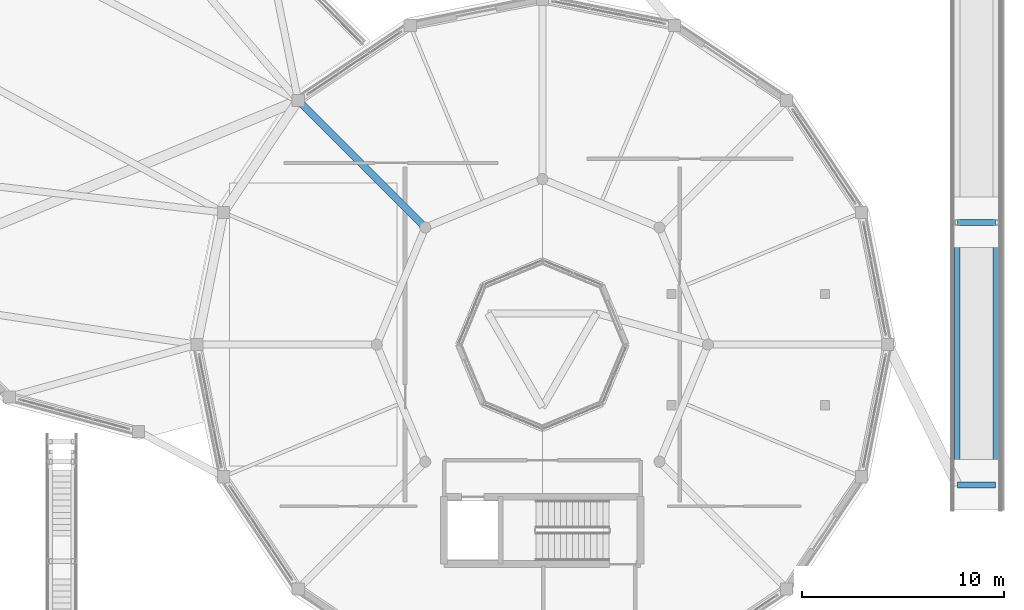
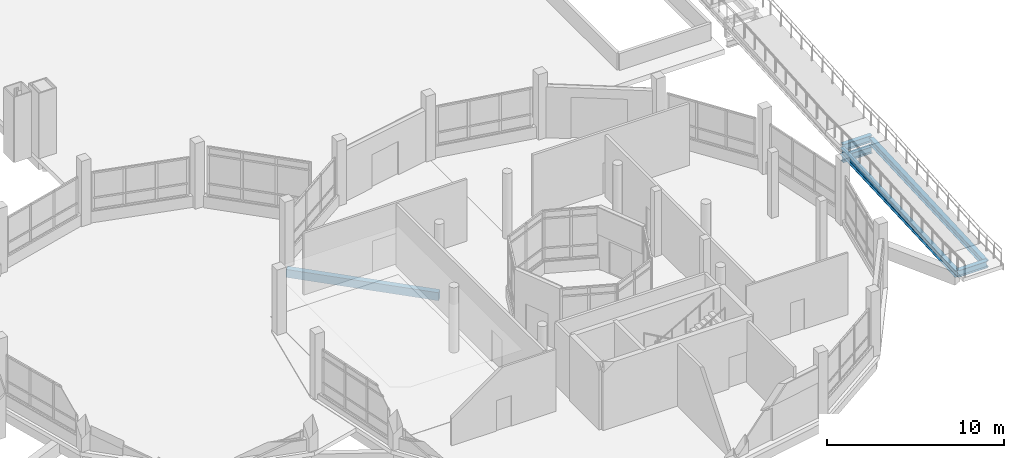
# One storey, part 77 of 129: 6 beams.
"""IFC4 building model written with IfcOpenShell, lengths in metres."""

from ifc_helpers import new_model, si_unit, direction, frame, origin, origin_2d, place, context, subcontext, project, spatial, rectangle, i_section, extrude, material, material_profile, profile_set, type_object, element, save


model = new_model("IFC4")

# Units and contexts
model_context = context("Model", 3, precision=1e-05, world=origin(), true_north=direction((0.0, 1.0)))
body_context = subcontext(model_context, "Body", "Model", "MODEL_VIEW")
ifc_project = project(units=[si_unit("LENGTHUNIT", "METRE"), si_unit("AREAUNIT", "SQUARE_METRE"), si_unit("VOLUMEUNIT", "CUBIC_METRE"), si_unit("PLANEANGLEUNIT", "RADIAN"), si_unit("MASSUNIT", "GRAM", prefix="KILO")], contexts=[model_context])

# Site, building, storey
site_placement = place(None, origin())
site = spatial("IfcSite", under=ifc_project, at=site_placement, CompositionType="ELEMENT")
building_placement = place(site_placement, origin())
building = spatial("IfcBuilding", under=site, at=building_placement, Name="Vespera Passage Community Centre", CompositionType="ELEMENT")
storey_placement = place(building_placement, origin())
storey = spatial("IfcBuildingStorey", under=building, at=storey_placement, Name="L00", CompositionType="ELEMENT", Elevation=0.0)

# Beams
ifc_material_1 = material(Name="Concrete f'c 35 MPa", Category="concrete")
ifc_material_profile_1 = material_profile(ifc_material_1, rectangle(XDim=0.35009765625, YDim=0.550048828125, at=origin_2d()), Name="RC350X550")
ifc_profile_set_1 = profile_set([ifc_material_profile_1], Name="Concrete f'c 35 MPa")
beam_type_1 = type_object("IfcBeamType", Name="BM-J-350X550", PredefinedType="JOIST", material=ifc_profile_set_1)
beam_placement = place(storey_placement, frame((135.20166015625, 30.79833984375, -0.554931640625), z_axis=(-0.707106781187, 0.707106781187, 0.0), x_axis=(-0.707106781187, -0.707106781187, 0.0)))
element("IfcBeam", 1, at=beam_placement, inside=storey, type_object=beam_type_1, Name="V3 L00 Radial Girder 4", PredefinedType="JOIST", context=body_context, shape_type="SweptSolid", body=[
    extrude(rectangle(XDim=0.35009765625, YDim=0.550048828125, at=origin_2d()), origin(), (0.0, 0.0, 1.0), 8.89990234375),
])
ifc_material_2 = material(Name="Steel ASTM A992 Grade 50", Category="steel")
ifc_material_profile_2 = material_profile(ifc_material_2, i_section(OverallWidth=0.280517578125, OverallDepth=0.46240234375, WebThickness=0.0107421875, FlangeThickness=0.017333984375, FilletRadius=0.01025390625, at=origin_2d()), Name="W18X76")
ifc_profile_set_2 = profile_set([ifc_material_profile_2], Name="Steel ASTM A992 Grade 50")
beam_type_2 = type_object("IfcBeamType", Name="BM-RB-W18X76E", PredefinedType="SPANDREL", material=ifc_profile_set_2)
for number, where, z_axis, x_axis, name in (
    (2, (161.550048828125, 18.050048828125, -0.52001953125), (1.0, 0.0, 0.0), (0.0, 1.0, 0.0), "Bridge Pier Grade Tie 1"),
    (3, (161.550048828125, 31.050048828125, -0.52001953125), (1.0, 0.0, 0.0), (0.0, 1.0, 0.0), "Bridge Pier Grade Tie 2"),
    (4, (161.550048828125, 31.050048828125, 0.2587890625), (1.0, 0.0, 0.0), (0.0, 1.0, 0.0), "Bridge Pier Cap 2"),
):
    element("IfcBeam", number, at=place(storey_placement, frame(where, z_axis=z_axis, x_axis=x_axis)), inside=storey, type_object=beam_type_2, Name=name, PredefinedType="SPANDREL", context=body_context, shape_type="SweptSolid", body=[
        extrude(i_section(OverallWidth=0.280517578125, OverallDepth=0.46240234375, WebThickness=0.0107421875, FlangeThickness=0.017333984375, FilletRadius=0.01025390625, at=origin_2d()), origin(), (0.0, 0.0, 1.0), 1.89990234375),
    ])
for number, where, z_axis, x_axis, name in (
    (5, (161.550048828125, 18.050048828125, -0.580078125), (0.0, 0.998868689387, 0.047553563093), (-1.0, 0.0, 0.0), "Bridge Raker 1.1"),
    (6, (163.449951171875, 18.050048828125, -0.580078125), (0.0, 0.998868689387, 0.047553563093), (-1.0, 0.0, 0.0), "Bridge Raker 1.2"),
):
    element("IfcBeam", number, at=place(storey_placement, frame(where, z_axis=z_axis, x_axis=x_axis)), inside=storey, type_object=beam_type_2, Name=name, PredefinedType="SPANDREL", context=body_context, shape_type="SweptSolid", body=[
        extrude(i_section(OverallWidth=0.280517578125, OverallDepth=0.46240234375, WebThickness=0.0107421875, FlangeThickness=0.017333984375, FilletRadius=0.01025390625, at=origin_2d()), origin(), (0.0, 0.0, 1.0), 13.0146484375),
    ])

save(model, "model.ifc")
